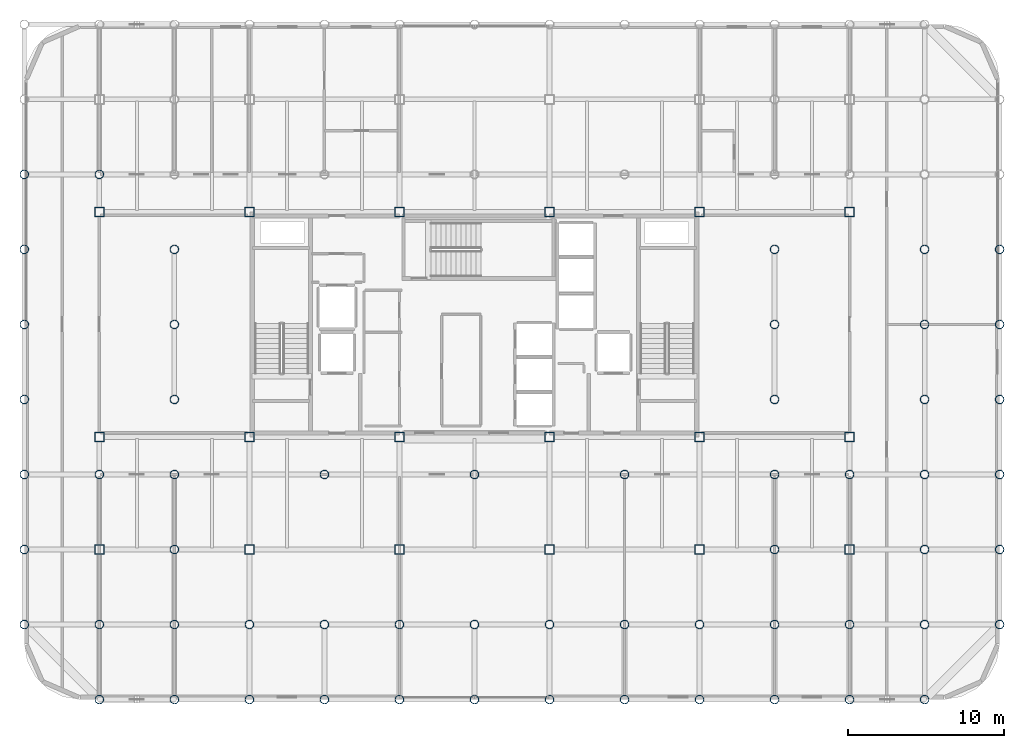
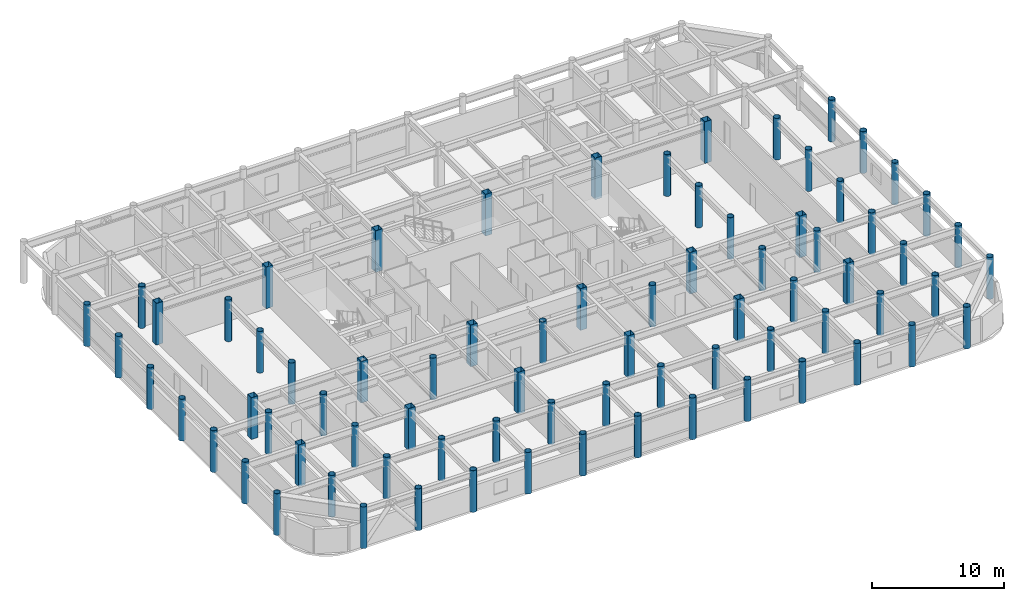
# One storey, part 1 of 21: 76 columns.
"""IFC4 building model written with IfcOpenShell, lengths in metres."""

from ifc_helpers import new_model, si_unit, direction, frame, origin, origin_2d, place, context, subcontext, project, spatial, hollow_rectangle, hollow_circle, extrude, material, material_profile, profile_set, type_object, element, save


model = new_model("IFC4")

# Units and contexts
model_context = context("Model", 3, precision=1e-05, world=origin(), true_north=direction((0.0, 1.0)))
body_context = subcontext(model_context, "Body", "Model", "MODEL_VIEW")
ifc_project = project(units=[si_unit("LENGTHUNIT", "METRE"), si_unit("AREAUNIT", "SQUARE_METRE"), si_unit("VOLUMEUNIT", "CUBIC_METRE"), si_unit("PLANEANGLEUNIT", "RADIAN"), si_unit("MASSUNIT", "GRAM", prefix="KILO")], contexts=[model_context])

# Site, building, storey
site_placement = place(None, origin())
site = spatial("IfcSite", under=ifc_project, at=site_placement, CompositionType="ELEMENT")
building_placement = place(site_placement, origin())
building = spatial("IfcBuilding", under=site, at=building_placement, Name="Kallvorn Hotel Tower", CompositionType="ELEMENT")
storey_placement = place(building_placement, frame((0.0, 0.0, 214.60009765625)))
storey = spatial("IfcBuildingStorey", under=building, at=storey_placement, Name="L53", CompositionType="ELEMENT", Elevation=214.60009765625)

# Columns
ifc_material_1 = material(Name="Structural steel S355J2H", Category="steel")
ifc_material_profile_1 = material_profile(ifc_material_1, hollow_circle(Radius=0.279541015625, WallThickness=0.02490234375, at=origin_2d()), Name="CHS 559x25")
ifc_profile_set_1 = profile_set([ifc_material_profile_1], Name="Structural steel S355J2H")
column_type_1 = type_object("IfcColumnType", Name="COL_CHS_559", PredefinedType="COLUMN", material=ifc_profile_set_1)
for number, where, z_axis, x_axis, name in (
    (1, (-28.800048828125, -19.199951171875, 0.0), (0.0, 0.0, 1.0), (1.0, 0.0, 0.0), "L53 Exoskeleton Column EC01"),
    (2, (-28.800048828125, -14.39990234375, 0.0), (0.0, 0.0, 1.0), (1.0, 0.0, 0.0), "L53 Exoskeleton Column EC02"),
    (3, (-28.800048828125, -9.60009765625, 0.0), (0.0, 0.0, 1.0), (1.0, 0.0, 0.0), "L53 Exoskeleton Column EC03"),
    (4, (-28.800048828125, -4.800048828125, 0.0), (0.0, 0.0, 1.0), (1.0, 0.0, 0.0), "L53 Exoskeleton Column EC04"),
    (5, (-28.800048828125, 0.0, 0.0), (0.0, 0.0, 1.0), (1.0, 0.0, 0.0), "L53 Exoskeleton Column EC05"),
    (6, (-28.800048828125, 4.800048828125, 0.0), (0.0, 0.0, 1.0), (1.0, 0.0, 0.0), "L53 Exoskeleton Column EC06"),
    (7, (-28.800048828125, 9.60009765625, 0.0), (0.0, 0.0, 1.0), (1.0, 0.0, 0.0), "L53 Exoskeleton Column EC07"),
    (8, (-24.0, -24.0, 0.0), (0.0, 0.0, 1.0), (1.0, 0.0, 0.0), "L53 Exoskeleton Column EC10"),
    (9, (-24.0, -19.199951171875, 0.0), (0.0, 0.0, 1.0), (1.0, 0.0, 0.0), "L53 Exoskeleton Column EC11"),
    (10, (-24.0, -9.60009765625, 0.0), (0.0, 0.0, 1.0), (1.0, 0.0, 0.0), "L53 Exoskeleton Column EC12"),
    (11, (-24.0, 9.60009765625, 0.0), (0.0, 0.0, 1.0), (1.0, 0.0, 0.0), "L53 Exoskeleton Column EC13"),
    (12, (-19.199951171875, -24.0, 0.0), (0.0, 0.0, 1.0), (1.0, 0.0, 0.0), "L53 Exoskeleton Column EC15"),
    (13, (-19.199951171875, -19.199951171875, 0.0), (0.0, 0.0, 1.0), (1.0, 0.0, 0.0), "L53 Exoskeleton Column EC16"),
    (14, (-19.199951171875, -14.39990234375, 0.0), (0.0, 0.0, 1.0), (1.0, 0.0, 0.0), "L53 Exoskeleton Column EC17"),
    (15, (-19.199951171875, -9.60009765625, 0.0), (0.0, 0.0, 1.0), (1.0, 0.0, 0.0), "L53 Exoskeleton Column EC18"),
    (16, (-19.199951171875, -4.800048828125, 0.0), (0.0, 0.0, 1.0), (1.0, 0.0, 0.0), "L53 Exoskeleton Column EC19"),
    (17, (-19.199951171875, 0.0, 0.0), (0.0, 0.0, 1.0), (1.0, 0.0, 0.0), "L53 Exoskeleton Column EC20"),
    (18, (-19.199951171875, 4.800048828125, 0.0), (0.0, 0.0, 1.0), (1.0, 0.0, 0.0), "L53 Exoskeleton Column EC21"),
    (19, (-14.39990234375, -24.0, 0.0), (0.0, 0.0, 1.0), (1.0, 0.0, 0.0), "L53 Exoskeleton Column EC25"),
    (20, (-14.39990234375, -19.199951171875, 0.0), (0.0, 0.0, 1.0), (1.0, 0.0, 0.0), "L53 Exoskeleton Column EC26"),
    (21, (-9.60009765625, -24.0, 0.0), (0.0, 0.0, 1.0), (1.0, 0.0, 0.0), "L53 Exoskeleton Column EC28"),
    (22, (-9.60009765625, -19.199951171875, 0.0), (0.0, 0.0, 1.0), (1.0, 0.0, 0.0), "L53 Exoskeleton Column EC29"),
    (23, (-9.60009765625, -9.60009765625, 0.0), (0.0, 0.0, 1.0), (1.0, 0.0, 0.0), "L53 Exoskeleton Column EC30"),
    (24, (-4.800048828125, -24.0, 0.0), (0.0, 0.0, 1.0), (1.0, 0.0, 0.0), "L53 Exoskeleton Column EC33"),
    (25, (-4.800048828125, -19.199951171875, 0.0), (0.0, 0.0, 1.0), (1.0, 0.0, 0.0), "L53 Exoskeleton Column EC34"),
    (26, (0.0, -24.0, 0.0), (0.0, 0.0, 1.0), (1.0, 0.0, 0.0), "L53 Exoskeleton Column EC36"),
    (27, (0.0, -19.199951171875, 0.0), (0.0, 0.0, 1.0), (1.0, 0.0, 0.0), "L53 Exoskeleton Column EC37"),
    (28, (0.0, -9.60009765625, 0.0), (0.0, 0.0, 1.0), (1.0, 0.0, 0.0), "L53 Exoskeleton Column EC38"),
    (29, (4.800048828125, -24.0, 0.0), (0.0, 0.0, 1.0), (1.0, 0.0, 0.0), "L53 Exoskeleton Column EC41"),
    (30, (4.800048828125, -19.199951171875, 0.0), (0.0, 0.0, 1.0), (1.0, 0.0, 0.0), "L53 Exoskeleton Column EC42"),
    (31, (9.60009765625, -24.0, 0.0), (0.0, 0.0, 1.0), (1.0, 0.0, 0.0), "L53 Exoskeleton Column EC44"),
    (32, (9.60009765625, -19.199951171875, 0.0), (0.0, 0.0, 1.0), (1.0, 0.0, 0.0), "L53 Exoskeleton Column EC45"),
    (33, (9.60009765625, -9.60009765625, 0.0), (0.0, 0.0, 1.0), (1.0, 0.0, 0.0), "L53 Exoskeleton Column EC46"),
    (34, (14.39990234375, -24.0, 0.0), (0.0, 0.0, 1.0), (1.0, 0.0, 0.0), "L53 Exoskeleton Column EC49"),
    (35, (14.39990234375, -19.199951171875, 0.0), (0.0, 0.0, 1.0), (1.0, 0.0, 0.0), "L53 Exoskeleton Column EC50"),
    (36, (19.199951171875, -24.0, 0.0), (0.0, 0.0, 1.0), (1.0, 0.0, 0.0), "L53 Exoskeleton Column EC52"),
    (37, (19.199951171875, -19.199951171875, 0.0), (0.0, 0.0, 1.0), (1.0, 0.0, 0.0), "L53 Exoskeleton Column EC53"),
    (38, (19.199951171875, -14.39990234375, 0.0), (0.0, 0.0, 1.0), (1.0, 0.0, 0.0), "L53 Exoskeleton Column EC54"),
    (39, (19.199951171875, -9.60009765625, 0.0), (0.0, 0.0, 1.0), (1.0, 0.0, 0.0), "L53 Exoskeleton Column EC55"),
    (40, (19.199951171875, -4.800048828125, 0.0), (0.0, 0.0, 1.0), (1.0, 0.0, 0.0), "L53 Exoskeleton Column EC56"),
    (41, (19.199951171875, 0.0, 0.0), (0.0, 0.0, 1.0), (1.0, 0.0, 0.0), "L53 Exoskeleton Column EC57"),
    (42, (19.199951171875, 4.800048828125, 0.0), (0.0, 0.0, 1.0), (1.0, 0.0, 0.0), "L53 Exoskeleton Column EC58"),
    (43, (24.0, -24.0, 0.0), (0.0, 0.0, 1.0), (1.0, 0.0, 0.0), "L53 Exoskeleton Column EC62"),
    (44, (24.0, -19.199951171875, 0.0), (0.0, 0.0, 1.0), (1.0, 0.0, 0.0), "L53 Exoskeleton Column EC63"),
    (45, (24.0, -9.60009765625, 0.0), (0.0, 0.0, 1.0), (1.0, 0.0, 0.0), "L53 Exoskeleton Column EC64"),
    (46, (28.800048828125, -24.0, 0.0), (0.0, 0.0, 1.0), (1.0, 0.0, 0.0), "L53 Exoskeleton Column EC67"),
    (47, (28.800048828125, -19.199951171875, 0.0), (0.0, 0.0, 1.0), (1.0, 0.0, 0.0), "L53 Exoskeleton Column EC68"),
    (48, (28.800048828125, -14.39990234375, 0.0), (0.0, 0.0, 1.0), (1.0, 0.0, 0.0), "L53 Exoskeleton Column EC69"),
    (49, (28.800048828125, -9.60009765625, 0.0), (0.0, 0.0, 1.0), (1.0, 0.0, 0.0), "L53 Exoskeleton Column EC70"),
    (50, (28.800048828125, -4.800048828125, 0.0), (0.0, 0.0, 1.0), (1.0, 0.0, 0.0), "L53 Exoskeleton Column EC71"),
    (51, (28.800048828125, 0.0, 0.0), (0.0, 0.0, 1.0), (1.0, 0.0, 0.0), "L53 Exoskeleton Column EC72"),
    (52, (28.800048828125, 4.800048828125, 0.0), (0.0, 0.0, 1.0), (1.0, 0.0, 0.0), "L53 Exoskeleton Column EC73"),
    (53, (33.60009765625, -19.199951171875, 0.0), (0.0, 0.0, 1.0), (1.0, 0.0, 0.0), "L53 Exoskeleton Column EC77"),
    (54, (33.60009765625, -14.39990234375, 0.0), (0.0, 0.0, 1.0), (1.0, 0.0, 0.0), "L53 Exoskeleton Column EC78"),
    (55, (33.60009765625, -9.60009765625, 0.0), (0.0, 0.0, 1.0), (1.0, 0.0, 0.0), "L53 Exoskeleton Column EC79"),
    (56, (33.60009765625, -4.800048828125, 0.0), (0.0, 0.0, 1.0), (1.0, 0.0, 0.0), "L53 Exoskeleton Column EC80"),
    (57, (33.60009765625, 0.0, 0.0), (0.0, 0.0, 1.0), (1.0, 0.0, 0.0), "L53 Exoskeleton Column EC81"),
    (58, (33.60009765625, 4.800048828125, 0.0), (0.0, 0.0, 1.0), (1.0, 0.0, 0.0), "L53 Exoskeleton Column EC82"),
):
    element("IfcColumn", number, at=place(storey_placement, frame(where, z_axis=z_axis, x_axis=x_axis)), inside=storey, type_object=column_type_1, Name=name, PredefinedType="COLUMN", context=body_context, shape_type="SweptSolid", body=[
        extrude(hollow_circle(Radius=0.279541015625, WallThickness=0.02490234375, at=origin_2d()), origin(), (0.0, 0.0, 1.0), 3.849853515625),
    ])
ifc_material_2 = material(Name="Structural steel S355J2H", Category="steel")
ifc_material_profile_2 = material_profile(ifc_material_2, hollow_rectangle(XDim=0.60009765625, YDim=0.60009765625, WallThickness=0.028076171875, at=origin_2d()), Name="RHS 600x600x28")
ifc_profile_set_2 = profile_set([ifc_material_profile_2], Name="Structural steel S355J2H")
column_type_2 = type_object("IfcColumnType", Name="COL_RHS_600", PredefinedType="COLUMN", material=ifc_profile_set_2)
for number, where, z_axis, x_axis, name in (
    (59, (-24.0, -14.39990234375, 0.0), (0.0, 0.0, 1.0), (1.0, 0.0, 0.0), "L53 Inner Column IC01"),
    (60, (-24.0, -7.199951171875, 0.0), (0.0, 0.0, 1.0), (1.0, 0.0, 0.0), "L53 Inner Column IC02"),
    (61, (-24.0, 7.199951171875, 0.0), (0.0, 0.0, 1.0), (1.0, 0.0, 0.0), "L53 Inner Column IC03"),
    (62, (-14.39990234375, -14.39990234375, 0.0), (0.0, 0.0, 1.0), (1.0, 0.0, 0.0), "L53 Inner Column IC05"),
    (63, (-14.39990234375, -7.199951171875, 0.0), (0.0, 0.0, 1.0), (1.0, 0.0, 0.0), "L53 Inner Column IC06"),
    (64, (-14.39990234375, 7.199951171875, 0.0), (0.0, 0.0, 1.0), (1.0, 0.0, 0.0), "L53 Inner Column IC07"),
    (65, (-4.800048828125, -14.39990234375, 0.0), (0.0, 0.0, 1.0), (1.0, 0.0, 0.0), "L53 Inner Column IC09"),
    (66, (-4.800048828125, -7.199951171875, 0.0), (0.0, 0.0, 1.0), (1.0, 0.0, 0.0), "L53 Inner Column IC10"),
    (67, (-4.800048828125, 7.199951171875, 0.0), (0.0, 0.0, 1.0), (1.0, 0.0, 0.0), "L53 Inner Column IC11"),
    (68, (4.800048828125, -14.39990234375, 0.0), (0.0, 0.0, 1.0), (1.0, 0.0, 0.0), "L53 Inner Column IC13"),
    (69, (4.800048828125, -7.199951171875, 0.0), (0.0, 0.0, 1.0), (1.0, 0.0, 0.0), "L53 Inner Column IC14"),
    (70, (4.800048828125, 7.199951171875, 0.0), (0.0, 0.0, 1.0), (1.0, 0.0, 0.0), "L53 Inner Column IC15"),
    (71, (14.39990234375, -14.39990234375, 0.0), (0.0, 0.0, 1.0), (1.0, 0.0, 0.0), "L53 Inner Column IC17"),
    (72, (14.39990234375, -7.199951171875, 0.0), (0.0, 0.0, 1.0), (1.0, 0.0, 0.0), "L53 Inner Column IC18"),
    (73, (14.39990234375, 7.199951171875, 0.0), (0.0, 0.0, 1.0), (1.0, 0.0, 0.0), "L53 Inner Column IC19"),
    (74, (24.0, -14.39990234375, 0.0), (0.0, 0.0, 1.0), (1.0, 0.0, 0.0), "L53 Inner Column IC21"),
    (75, (24.0, -7.199951171875, 0.0), (0.0, 0.0, 1.0), (1.0, 0.0, 0.0), "L53 Inner Column IC22"),
    (76, (24.0, 7.199951171875, 0.0), (0.0, 0.0, 1.0), (1.0, 0.0, 0.0), "L53 Inner Column IC23"),
):
    element("IfcColumn", number, at=place(storey_placement, frame(where, z_axis=z_axis, x_axis=x_axis)), inside=storey, type_object=column_type_2, Name=name, PredefinedType="COLUMN", context=body_context, shape_type="SweptSolid", body=[
        extrude(hollow_rectangle(XDim=0.60009765625, YDim=0.60009765625, WallThickness=0.028076171875, at=origin_2d()), origin(), (0.0, 0.0, 1.0), 3.849853515625),
    ])

save(model, "model.ifc")
